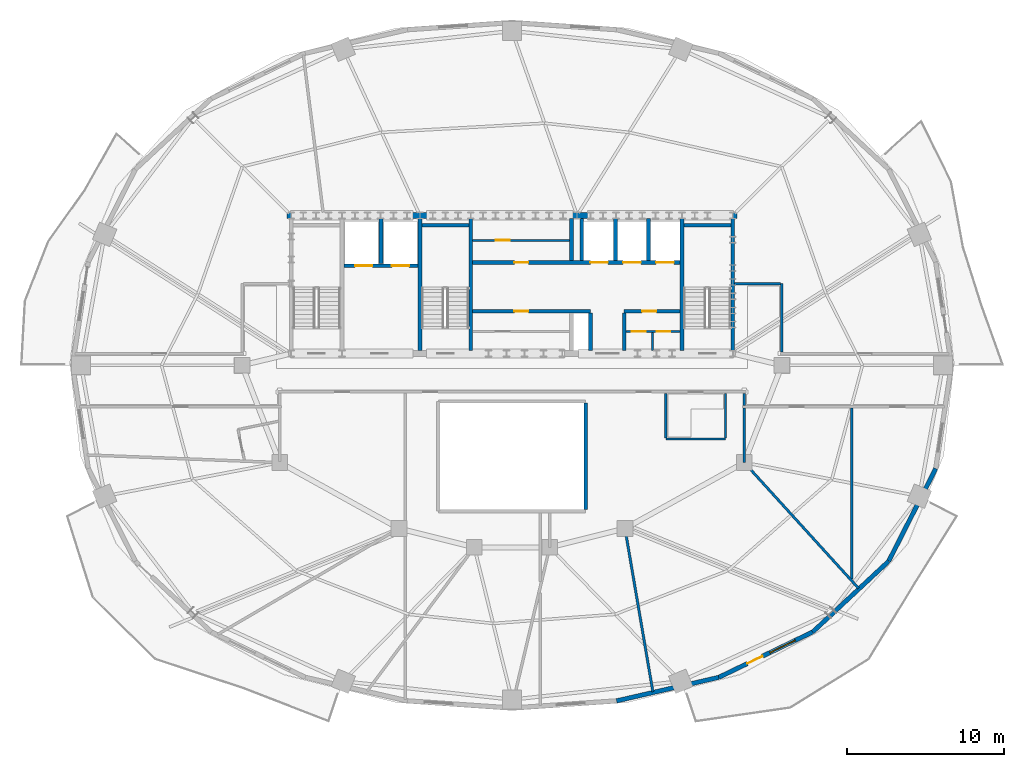
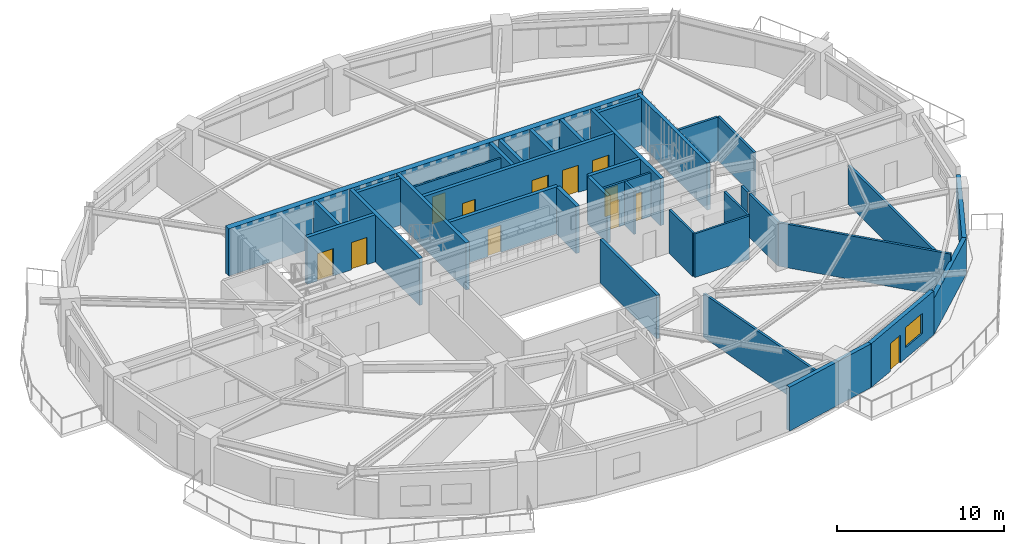
# One storey, part 5 of 11: 36 walls, 12 doors, 1 window, 13 openings.
"""IFC4 building model written with IfcOpenShell, lengths in metres."""

from ifc_helpers import new_model, si_unit, direction, frame, frame_2d, origin, place, context, subcontext, project, spatial, rectangle, extrude, material, layer, layer_set, type_object, element, fill, save


model = new_model("IFC4")

# Units and contexts
model_context = context("Model", 3, precision=1e-05, world=origin(), true_north=direction((0.0, 1.0)))
body_context = subcontext(model_context, "Body", "Model", "MODEL_VIEW")
ifc_project = project(units=[si_unit("LENGTHUNIT", "METRE"), si_unit("AREAUNIT", "SQUARE_METRE"), si_unit("VOLUMEUNIT", "CUBIC_METRE"), si_unit("PLANEANGLEUNIT", "RADIAN"), si_unit("MASSUNIT", "GRAM", prefix="KILO")], contexts=[model_context])

# Site, building, storey
site_placement = place(None, origin())
site = spatial("IfcSite", under=ifc_project, at=site_placement, CompositionType="ELEMENT")
building_placement = place(site_placement, origin())
building = spatial("IfcBuilding", under=site, at=building_placement, Name="Haldorwick Loom Tower", CompositionType="ELEMENT")
storey_placement = place(building_placement, frame((0.0, 0.0, 211.75)))
storey = spatial("IfcBuildingStorey", under=building, at=storey_placement, Name="L57", CompositionType="ELEMENT", Elevation=211.75)

# Wall
ifc_material_1 = material(Name="Pressed Clay Face Brick and Insulated Masonry Backup Assembly", Category="masonry")
ifc_layer_1 = layer(ifc_material_1, 0.280029296875, Name="Pressed Clay Face Brick and Insulated Masonry Backup Assembly", Category="masonry")
ifc_layer_set_1 = layer_set([ifc_layer_1], Name="Pressed Clay Face Brick and Insulated Masonry Backup Assembly")
wall_type_1 = type_object("IfcWallType", Name="ARC-WL-EXT280", PredefinedType="STANDARD", material=ifc_layer_set_1)
wall_1_placement = place(storey_placement, frame((42.665283203125, 4.61279296875, 0.0), z_axis=(0.0, 0.0, 1.0), x_axis=(0.974557343474, 0.224138315065, 0.0)))
element("IfcWall", 1, at=wall_1_placement, inside=storey, type_object=wall_type_1, Name="L57 Brick Pier and Spandrel Wall 20", PredefinedType="STANDARD", context=body_context, shape_type="SweptSolid", body=[
    extrude(rectangle(XDim=6.676025390625, YDim=0.280029296875, at=frame_2d((3.337890625, 0.0))), origin(), (0.0, 0.0, 1.0), 3.2099609375),
])

# Wall, openings, door, window
wall_2_placement = place(storey_placement, frame((49.17138671875, 6.109130859375, 0.0), z_axis=(0.0, 0.0, 1.0), x_axis=(0.900371236029, 0.435122554381, 0.0)))
wall_2 = element("IfcWall", 2, at=wall_2_placement, inside=storey, type_object=wall_type_1, Name="L57 Brick Pier and Spandrel Wall 21", PredefinedType="STANDARD", context=body_context, shape_type="SweptSolid", body=[
    extrude(rectangle(XDim=6.6533203125, YDim=0.280029296875, at=frame_2d((3.32666015625, 0.0))), origin(), (0.0, 0.0, 1.0), 3.2099609375),
])
opening_1_placement = place(wall_2_placement, frame((2.022705078125, 0.0, 0.0)))
opening_1 = element("IfcOpeningElement", 3, at=opening_1_placement, cuts=wall_2, Name="Opening D-BL11", PredefinedType="OPENING", context=body_context, shape_type="SweptSolid", body=[
    extrude(rectangle(XDim=1.080078125, YDim=2.0400390625, at=frame_2d((0.5400390625, 1.02001953125))), frame((0.0, 0.14990234375, 0.0), z_axis=(0.0, -1.0, 0.0), x_axis=(1.0, 0.0, 0.0)), (0.0, 0.0, 1.0), 0.300048828125),
])
opening_2_placement = place(wall_2_placement, frame((3.618896484375, 0.0, 0.800048828125)))
opening_2 = element("IfcOpeningElement", 4, at=opening_2_placement, cuts=wall_2, Name="Opening W-01", PredefinedType="OPENING", context=body_context, shape_type="SweptSolid", body=[
    extrude(rectangle(XDim=1.800048828125, YDim=1.47998046875, at=frame_2d((0.89990234375, 0.739990234375))), frame((0.0, 0.14990234375, 0.0), z_axis=(0.0, -1.0, 0.0), x_axis=(1.0, 0.0, 0.0)), (0.0, 0.0, 1.0), 0.300048828125),
])
ifc_material_2 = material(Name="Thermally Broken Anodized Aluminium Curtain Wall Framing", Category="aluminium")
door_type_1 = type_object("IfcDoorType", Name="ARC-DR-BAL110", OperationType="NOTDEFINED", PredefinedType="DOOR", material=ifc_material_2)
door_1_placement = place(opening_1_placement, origin())
door_1 = element("IfcDoor", 5, at=door_1_placement, inside=storey, type_object=door_type_1, Name="L57 Outdoor Terrace Door SLB-L57-BAL_SE", OperationType="SINGLE_SWING_RIGHT", OverallHeight=2.0400390625, OverallWidth=1.080078125, PredefinedType="DOOR", context=body_context, shape_type="SweptSolid", body=[
    extrude(rectangle(XDim=1.080078125, YDim=2.0400390625, at=frame_2d((0.5400390625, 1.02001953125))), frame((0.0, 0.02490234375, 0.0), z_axis=(0.0, -1.0, 0.0), x_axis=(1.0, 0.0, 0.0)), (0.0, 0.0, 1.0), 0.050048828125),
])
fill(opening_1, door_1)
ifc_material_3 = material(Name="Triple-Glazed Low-E Argon Insulated Glazing Unit", Category="glass")
window_type = type_object("IfcWindowType", Name="ARC-WIN-W180", PartitioningType="SINGLE_PANEL", PredefinedType="WINDOW", material=ifc_material_3)
window_placement = place(opening_2_placement, origin())
window = element("IfcWindow", 6, at=window_placement, inside=storey, type_object=window_type, Name="L57 Deep-Set Zone 7A Window 21", OverallHeight=1.47998046875, OverallWidth=1.800048828125, PartitioningType="SINGLE_PANEL", PredefinedType="WINDOW", context=body_context, shape_type="SweptSolid", body=[
    extrude(rectangle(XDim=1.800048828125, YDim=1.47998046875, at=frame_2d((0.89990234375, 0.739990234375))), frame((0.0, 0.030029296875, 0.0), z_axis=(0.0, -1.0, 0.0), x_axis=(1.0, 0.0, 0.0)), (0.0, 0.0, 1.0), 0.06005859375),
])
fill(opening_2, window)

# Walls
wall_3_placement = place(storey_placement, frame((55.161865234375, 9.004150390625, 0.0), z_axis=(0.0, 0.0, 1.0), x_axis=(0.731833707499, 0.681483253329, 0.0)))
element("IfcWall", 7, at=wall_3_placement, inside=storey, type_object=wall_type_1, Name="L57 Brick Pier and Spandrel Wall 22", PredefinedType="STANDARD", context=body_context, shape_type="SweptSolid", body=[
    extrude(rectangle(XDim=6.61865234375, YDim=0.280029296875, at=frame_2d((3.309326171875, 0.0))), origin(), (0.0, 0.0, 1.0), 2.64111328125),
])
wall_4_placement = place(storey_placement, frame((60.005615234375, 13.5146484375, 0.0), z_axis=(0.0, 0.0, 1.0), x_axis=(0.453032066879, 0.89149422117, 0.0)))
element("IfcWall", 8, at=wall_4_placement, inside=storey, type_object=wall_type_1, Name="L57 Brick Pier and Spandrel Wall 23", PredefinedType="STANDARD", context=body_context, shape_type="SweptSolid", body=[
    extrude(rectangle(XDim=6.618896484375, YDim=0.280029296875, at=frame_2d((3.3095703125, 0.0))), origin(), (0.0, 0.0, 1.0), 2.64111328125),
])
ifc_material_4 = material(Name="Fire-Rated Type X Gypsum Stud Assembly EI 60")
ifc_layer_2 = layer(ifc_material_4, 0.159912109375, Name="Fire-Rated Type X Gypsum Stud Assembly EI 60")
ifc_layer_set_2 = layer_set([ifc_layer_2], Name="Fire-Rated Type X Gypsum Stud Assembly EI 60")
wall_type_2 = type_object("IfcWallType", Name="ARC-WL-FIRE160", PredefinedType="PARTITIONING", material=ifc_layer_set_2)
wall_5_placement = place(storey_placement, frame((50.800048828125, 23.43310546875, 0.0), z_axis=(0.0, 0.0, 1.0), x_axis=(0.0, 1.0, 0.0)))
element("IfcWall", 9, at=wall_5_placement, inside=storey, type_object=wall_type_2, Name="L57 Residential Fire Partition L57-CR-STE", PredefinedType="PARTITIONING", context=body_context, shape_type="SweptSolid", body=[
    extrude(rectangle(XDim=0.783935546875, YDim=0.159912109375, at=frame_2d((0.39208984375, 0.0))), origin(), (0.0, 0.0, 1.0), 3.195068359375),
])
wall_6_placement = place(storey_placement, frame((53.199951171875, 26.8330078125, 0.0), z_axis=(0.0, 0.0, 1.0), x_axis=(0.0, 1.0, 0.0)))
element("IfcWall", 10, at=wall_6_placement, inside=storey, type_object=wall_type_2, Name="L57 Residential Fire Partition L57-CR-E0", PredefinedType="PARTITIONING", context=body_context, shape_type="SweptSolid", body=[
    extrude(rectangle(XDim=4.366943359375, YDim=0.159912109375, at=frame_2d((2.18359375, 0.0))), origin(), (0.0, 0.0, 1.0), 3.195068359375),
])
wall_7_placement = place(storey_placement, frame((50.193115234375, 31.199951171875, 0.0), z_axis=(0.0, 0.0, 1.0), x_axis=(1.0, 0.0, 0.0)))
element("IfcWall", 11, at=wall_7_placement, inside=storey, type_object=wall_type_2, Name="L57 Residential Fire Partition L57-CR-ENJ", PredefinedType="PARTITIONING", context=body_context, shape_type="SweptSolid", body=[
    extrude(rectangle(XDim=2.923828125, YDim=0.159912109375, at=frame_2d((1.4619140625, 0.0))), origin(), (0.0, 0.0, 1.0), 3.195068359375),
])
wall_8_placement = place(storey_placement, frame((50.800048828125, 19.800048828125, 0.0), z_axis=(0.0, 0.0, 1.0), x_axis=(0.672622296294, -0.739985977251, 0.0)))
element("IfcWall", 12, at=wall_8_placement, inside=storey, type_object=wall_type_2, Name="L57 Residential Fire Partition L57-ICR-02", PredefinedType="PARTITIONING", context=body_context, shape_type="SweptSolid", body=[
    extrude(rectangle(XDim=10.8291015625, YDim=0.159912109375, at=frame_2d((5.41455078125, 0.0))), origin(), (0.0, 0.0, 1.0), 3.195068359375),
])
wall_9_placement = place(storey_placement, frame((43.199951171875, 15.60009765625, 0.0), z_axis=(0.0, 0.0, 1.0), x_axis=(0.168424125472, -0.985714620952, 0.0)))
element("IfcWall", 13, at=wall_9_placement, inside=storey, type_object=wall_type_2, Name="L57 Residential Fire Partition L57-ICR-04", PredefinedType="PARTITIONING", context=body_context, shape_type="SweptSolid", body=[
    extrude(rectangle(XDim=10.56005859375, YDim=0.159912109375, at=frame_2d((5.280029296875, 0.0))), origin(), (0.0, 0.0, 1.0), 3.195068359375),
])
wall_10_placement = place(storey_placement, frame((50.800048828125, 23.26708984375, 0.0), z_axis=(0.0, 0.0, 1.0), x_axis=(0.0, -1.0, 0.0)))
element("IfcWall", 14, at=wall_10_placement, inside=storey, type_object=wall_type_2, Name="L57 Residential Fire Partition L57-ICA-01", PredefinedType="PARTITIONING", context=body_context, shape_type="SweptSolid", body=[
    extrude(rectangle(XDim=3.467041015625, YDim=0.159912109375, at=frame_2d((1.7333984375, 0.0))), origin(), (0.0, 0.0, 1.0), 3.195068359375),
])
wall_11_placement = place(storey_placement, frame((57.66748046875, 12.3681640625, 0.0), z_axis=(0.0, 0.0, 1.0), x_axis=(0.0, 1.0, 0.0)))
element("IfcWall", 15, at=wall_11_placement, inside=storey, type_object=wall_type_2, Name="L57 Suite Split Wall", PredefinedType="PARTITIONING", context=body_context, shape_type="SweptSolid", body=[
    extrude(rectangle(XDim=10.89892578125, YDim=0.159912109375, at=frame_2d((5.449462890625, 0.0))), origin(), (0.0, 0.0, 1.0), 2.8720703125),
])
ifc_material_5 = material(Name="Fire-Rated Type X Gypsum Stud Assembly EI 120")
ifc_layer_3 = layer(ifc_material_5, 0.199951171875, Name="Fire-Rated Type X Gypsum Stud Assembly EI 120")
ifc_layer_set_3 = layer_set([ifc_layer_3], Name="Fire-Rated Type X Gypsum Stud Assembly EI 120")
wall_type_3 = type_object("IfcWallType", Name="ARC-WL-FIRE200", PredefinedType="PARTITIONING", material=ifc_layer_set_3)
wall_12_placement = place(storey_placement, frame((40.699951171875, 23.596923828125, 0.0), z_axis=(0.0, 0.0, 1.0), x_axis=(0.0, -1.0, 0.0)))
element("IfcWall", 16, at=wall_12_placement, inside=storey, type_object=wall_type_3, Name="L57 Atrium Fire Enclosure Wall E", PredefinedType="PARTITIONING", context=body_context, shape_type="SweptSolid", body=[
    extrude(rectangle(XDim=6.7939453125, YDim=0.199951171875, at=frame_2d((3.39697265625, 0.0))), origin(), (0.0, 0.0, 1.0), 3.195068359375),
])

# Wall, opening, door
ifc_layer_4 = layer(ifc_material_4, 0.139892578125, Name="Fire-Rated Type X Gypsum Stud Assembly EI 60")
ifc_layer_set_4 = layer_set([ifc_layer_4], Name="Fire-Rated Type X Gypsum Stud Assembly EI 60")
wall_type_4 = type_object("IfcWallType", Name="ARC-WL-PART140", PredefinedType="PARTITIONING", material=ifc_layer_set_4)
wall_13_placement = place(storey_placement, frame((33.492919921875, 33.9599609375, 0.0), z_axis=(0.0, 0.0, 1.0), x_axis=(1.0, 0.0, 0.0)))
wall_13 = element("IfcWall", 17, at=wall_13_placement, inside=storey, type_object=wall_type_4, Name="L57 Alcove Partition", PredefinedType="PARTITIONING", context=body_context, shape_type="SweptSolid", body=[
    extrude(rectangle(XDim=6.18408203125, YDim=0.139892578125, at=frame_2d((3.092041015625, 0.0))), origin(), (0.0, 0.0, 1.0), 3.195068359375),
])
opening_3_placement = place(wall_13_placement, frame((1.45703125, 0.0, 0.0)))
opening_3 = element("IfcOpeningElement", 18, at=opening_3_placement, cuts=wall_13, Name="Opening D-FD60A", PredefinedType="OPENING", context=body_context, shape_type="SweptSolid", body=[
    extrude(rectangle(XDim=0.89990234375, YDim=2.0, at=frame_2d((0.449951171875, 1.0))), frame((0.0, 0.079833984375, 0.0), z_axis=(0.0, -1.0, 0.0), x_axis=(1.0, 0.0, 0.0)), (0.0, 0.0, 1.0), 0.159912109375),
])
ifc_material_6 = material(Name="Hollow Steel Fire Door Assembly", Category="steel")
door_type_2 = type_object("IfcDoorType", Name="ARC-DR-FD60-90", OperationType="NOTDEFINED", PredefinedType="DOOR", material=ifc_material_6)
door_2_placement = place(opening_3_placement, frame((0.89990234375, 0.0, 0.0), z_axis=(0.0, 0.0, 1.0), x_axis=(-1.0, 0.0, 0.0)))
door_2 = element("IfcDoor", 19, at=door_2_placement, inside=storey, type_object=door_type_2, Name="L57 Trunk Store Door", OperationType="SINGLE_SWING_LEFT", OverallHeight=2.0, OverallWidth=0.89990234375, PredefinedType="DOOR", context=body_context, shape_type="SweptSolid", body=[
    extrude(rectangle(XDim=0.89990234375, YDim=2.0, at=frame_2d((0.449951171875, 1.0))), frame((0.0, 0.02490234375, 0.0), z_axis=(0.0, -1.0, 0.0), x_axis=(1.0, 0.0, 0.0)), (0.0, 0.0, 1.0), 0.050048828125),
])
fill(opening_3, door_2)

# Wall, openings, doors
wall_14_placement = place(storey_placement, frame((43.27294921875, 28.159912109375, 0.0), z_axis=(0.0, 0.0, 1.0), x_axis=(1.0, 0.0, 0.0)))
wall_14 = element("IfcWall", 20, at=wall_14_placement, inside=storey, type_object=wall_type_4, Name="L57 Telecom Partition", PredefinedType="PARTITIONING", context=body_context, shape_type="SweptSolid", body=[
    extrude(rectangle(XDim=3.43408203125, YDim=0.139892578125, at=frame_2d((1.717041015625, 0.0))), origin(), (0.0, 0.0, 1.0), 3.195068359375),
])
opening_4_placement = place(wall_14_placement, frame((0.366943359375, 0.0, 0.0)))
opening_4 = element("IfcOpeningElement", 21, at=opening_4_placement, cuts=wall_14, Name="Opening D-BT88", PredefinedType="OPENING", context=body_context, shape_type="SweptSolid", body=[
    extrude(rectangle(XDim=0.8798828125, YDim=2.02001953125, at=frame_2d((0.43994140625, 1.010009765625))), frame((0.0, 0.079833984375, 0.0), z_axis=(0.0, -1.0, 0.0), x_axis=(1.0, 0.0, 0.0)), (0.0, 0.0, 1.0), 0.159912109375),
])
opening_5_placement = place(wall_14_placement, frame((1.93701171875, 0.0, 0.0)))
opening_5 = element("IfcOpeningElement", 22, at=opening_5_placement, cuts=wall_14, Name="Opening D-BT88", PredefinedType="OPENING", context=body_context, shape_type="SweptSolid", body=[
    extrude(rectangle(XDim=0.8798828125, YDim=2.02001953125, at=frame_2d((0.43994140625, 1.010009765625))), frame((0.0, 0.079833984375, 0.0), z_axis=(0.0, -1.0, 0.0), x_axis=(1.0, 0.0, 0.0)), (0.0, 0.0, 1.0), 0.159912109375),
])
ifc_material_7 = material(Name="Solid Core Birch Architectural Door")
door_type_3 = type_object("IfcDoorType", Name="ARC-DR-BATH88", OperationType="NOTDEFINED", PredefinedType="DOOR", material=ifc_material_7)
door_3_placement = place(opening_4_placement, origin())
door_3 = element("IfcDoor", 23, at=door_3_placement, inside=storey, type_object=door_type_3, Name="L57 Telecom Room Door", OperationType="SINGLE_SWING_LEFT", OverallHeight=2.02001953125, OverallWidth=0.8798828125, PredefinedType="DOOR", context=body_context, shape_type="SweptSolid", body=[
    extrude(rectangle(XDim=0.8798828125, YDim=2.02001953125, at=frame_2d((0.43994140625, 1.010009765625))), frame((0.0, 0.02490234375, 0.0), z_axis=(0.0, -1.0, 0.0), x_axis=(1.0, 0.0, 0.0)), (0.0, 0.0, 1.0), 0.050048828125),
])
fill(opening_4, door_3)
door_4_placement = place(opening_5_placement, origin())
door_4 = element("IfcDoor", 24, at=door_4_placement, inside=storey, type_object=door_type_3, Name="L57 Metering Closet Door", OperationType="SINGLE_SWING_RIGHT", OverallHeight=2.02001953125, OverallWidth=0.8798828125, PredefinedType="DOOR", context=body_context, shape_type="SweptSolid", body=[
    extrude(rectangle(XDim=0.8798828125, YDim=2.02001953125, at=frame_2d((0.43994140625, 1.010009765625))), frame((0.0, 0.02490234375, 0.0), z_axis=(0.0, -1.0, 0.0), x_axis=(1.0, 0.0, 0.0)), (0.0, 0.0, 1.0), 0.050048828125),
])
fill(opening_5, door_4)

# Walls
wall_15_placement = place(storey_placement, frame((44.949951171875, 26.952880859375, 0.0), z_axis=(0.0, 0.0, 1.0), x_axis=(0.0, 1.0, 0.0)))
element("IfcWall", 25, at=wall_15_placement, inside=storey, type_object=wall_type_4, Name="L57 Metering Sub-Partition", PredefinedType="PARTITIONING", context=body_context, shape_type="SweptSolid", body=[
    extrude(rectangle(XDim=1.134033203125, YDim=0.139892578125, at=frame_2d((0.56689453125, 0.0))), origin(), (0.0, 0.0, 1.0), 3.195068359375),
])
wall_16_placement = place(storey_placement, frame((45.800048828125, 21.300048828125, 0.0), z_axis=(0.0, 0.0, 1.0), x_axis=(1.0, 0.0, 0.0)))
element("IfcWall", 26, at=wall_16_placement, inside=storey, type_object=wall_type_4, Name="L57 Residential Fire Partition L57-CWC-S", PredefinedType="PARTITIONING", context=body_context, shape_type="SweptSolid", body=[
    extrude(rectangle(XDim=3.800048828125, YDim=0.139892578125, at=frame_2d((1.89990234375, 0.0))), origin(), (0.0, 0.0, 1.0), 3.195068359375),
])
for number, where, z_axis, x_axis, name in (
    (27, (45.800048828125, 21.373046875, 0.0), (0.0, 0.0, 1.0), (0.0, 1.0, 0.0), "L57 Residential Fire Partition L57-CWC-W"),
    (28, (49.60009765625, 21.373046875, 0.0), (0.0, 0.0, 1.0), (0.0, 1.0, 0.0), "L57 Residential Fire Partition L57-CWC-E"),
):
    element("IfcWall", number, at=place(storey_placement, frame(where, z_axis=z_axis, x_axis=x_axis)), inside=storey, type_object=wall_type_4, Name=name, PredefinedType="PARTITIONING", context=body_context, shape_type="SweptSolid", body=[
        extrude(rectangle(XDim=2.843994140625, YDim=0.139892578125, at=frame_2d((1.421875, 0.0))), origin(), (0.0, 0.0, 1.0), 3.195068359375),
    ])
ifc_material_8 = material(Name="Concrete C50 (50 MPa)", Category="concrete")
ifc_layer_5 = layer(ifc_material_8, 0.39990234375, Name="Concrete C50 (50 MPa)", Category="concrete")
ifc_layer_set_5 = layer_set([ifc_layer_5], Name="Concrete C50 (50 MPa)")
wall_type_5 = type_object("IfcWallType", Name="STR-WL-CORE400", PredefinedType="SHEAR", material=ifc_layer_set_5)
wall_17_placement = place(storey_placement, frame((50.35009765625, 35.550048828125, 0.0), z_axis=(0.0, 0.0, 1.0), x_axis=(-1.0, 0.0, 0.0)))
element("IfcWall", 29, at=wall_17_placement, inside=storey, type_object=wall_type_5, Name="L57 Core Shear Wall N", PredefinedType="SHEAR", context=body_context, shape_type="SweptSolid", body=[
    extrude(rectangle(XDim=28.7001953125, YDim=0.39990234375, at=frame_2d((14.35009765625, 0.0))), origin(), (0.0, 0.0, 1.0), 3.449951171875),
])
ifc_layer_6 = layer(ifc_material_8, 0.239990234375, Name="Concrete C50 (50 MPa)", Category="concrete")
ifc_layer_set_6 = layer_set([ifc_layer_6], Name="Concrete C50 (50 MPa)")
wall_type_6 = type_object("IfcWallType", Name="STR-WL-SHAFT240", PredefinedType="SHEAR", material=ifc_layer_set_6)
for number, where, z_axis, x_axis, name in (
    (30, (50.070068359375, 26.952880859375, 0.0), (0.0, 0.0, 1.0), (0.0, 1.0, 0.0), "L57 Core Shear Wall E"),
    (31, (30.1298828125, 26.952880859375, 0.0), (0.0, 0.0, 1.0), (0.0, 1.0, 0.0), "L57 Core Shear Wall 2"),
    (32, (33.3701171875, 26.952880859375, 0.0), (0.0, 0.0, 1.0), (0.0, 1.0, 0.0), "L57 Core Shear Wall 3"),
):
    element("IfcWall", number, at=place(storey_placement, frame(where, z_axis=z_axis, x_axis=x_axis)), inside=storey, type_object=wall_type_6, Name=name, PredefinedType="SHEAR", context=body_context, shape_type="SweptSolid", body=[
        extrude(rectangle(XDim=8.39404296875, YDim=0.239990234375, at=frame_2d((4.197021484375, 0.0))), origin(), (0.0, 0.0, 1.0), 3.449951171875),
    ])
wall_18_placement = place(storey_placement, frame((30.2529296875, 34.919921875, 0.0), z_axis=(0.0, 0.0, 1.0), x_axis=(1.0, 0.0, 0.0)))
element("IfcWall", 33, at=wall_18_placement, inside=storey, type_object=wall_type_6, Name="L57 Core Shear Wall 3N", PredefinedType="SHEAR", context=body_context, shape_type="SweptSolid", body=[
    extrude(rectangle(XDim=2.994140625, YDim=0.239990234375, at=frame_2d((1.4970703125, 0.0))), origin(), (0.0, 0.0, 1.0), 3.449951171875),
])
wall_19_placement = place(storey_placement, frame((46.830078125, 26.952880859375, 0.0), z_axis=(0.0, 0.0, 1.0), x_axis=(0.0, 1.0, 0.0)))
element("IfcWall", 34, at=wall_19_placement, inside=storey, type_object=wall_type_6, Name="L57 Core Shear Wall 4", PredefinedType="SHEAR", context=body_context, shape_type="SweptSolid", body=[
    extrude(rectangle(XDim=8.39404296875, YDim=0.239990234375, at=frame_2d((4.197021484375, 0.0))), origin(), (0.0, 0.0, 1.0), 3.449951171875),
])
wall_20_placement = place(storey_placement, frame((46.952880859375, 34.919921875, 0.0), z_axis=(0.0, 0.0, 1.0), x_axis=(1.0, 0.0, 0.0)))
element("IfcWall", 35, at=wall_20_placement, inside=storey, type_object=wall_type_6, Name="L57 Core Shear Wall 4N", PredefinedType="SHEAR", context=body_context, shape_type="SweptSolid", body=[
    extrude(rectangle(XDim=2.994140625, YDim=0.239990234375, at=frame_2d((1.4970703125, 0.0))), origin(), (0.0, 0.0, 1.0), 3.449951171875),
])

# Wall, openings, doors
wall_21_placement = place(storey_placement, frame((25.29296875, 32.35009765625, 0.0), z_axis=(0.0, 0.0, 1.0), x_axis=(1.0, 0.0, 0.0)))
wall_21 = element("IfcWall", 36, at=wall_21_placement, inside=storey, type_object=wall_type_6, Name="L57 Core Shear Wall FF", PredefinedType="SHEAR", context=body_context, shape_type="SweptSolid", body=[
    extrude(rectangle(XDim=4.714111328125, YDim=0.239990234375, at=frame_2d((2.35693359375, 0.0))), origin(), (0.0, 0.0, 1.0), 3.449951171875),
])
opening_6_placement = place(wall_21_placement, frame((0.70703125, 0.0, 0.0)))
opening_6 = element("IfcOpeningElement", 37, at=opening_6_placement, cuts=wall_21, Name="Opening LD-FF1", PredefinedType="OPENING", context=body_context, shape_type="SweptSolid", body=[
    extrude(rectangle(XDim=1.10009765625, YDim=2.0, at=frame_2d((0.550048828125, 1.0))), frame((0.0, 0.1298828125, 0.0), z_axis=(0.0, -1.0, 0.0), x_axis=(1.0, 0.0, 0.0)), (0.0, 0.0, 1.0), 0.260009765625),
])
opening_7_placement = place(wall_21_placement, frame((3.056884765625, 0.0, 0.0)))
opening_7 = element("IfcOpeningElement", 38, at=opening_7_placement, cuts=wall_21, Name="Opening LD-FF2", PredefinedType="OPENING", context=body_context, shape_type="SweptSolid", body=[
    extrude(rectangle(XDim=1.10009765625, YDim=2.0, at=frame_2d((0.550048828125, 1.0))), frame((0.0, 0.1298828125, 0.0), z_axis=(0.0, -1.0, 0.0), x_axis=(1.0, 0.0, 0.0)), (0.0, 0.0, 1.0), 0.260009765625),
])
door_type_4 = type_object("IfcDoorType", Name="ARC-DR-LD-FF", OperationType="NOTDEFINED", PredefinedType="USERDEFINED", material=ifc_material_6)
door_5_placement = place(opening_6_placement, origin())
door_5 = element("IfcDoor", 39, at=door_5_placement, inside=storey, type_object=door_type_4, Name="L57 Lift LF-FF1 Sliding Landing Door", ObjectType="LANDING DOOR", OperationType="DOUBLE_DOOR_SLIDING", OverallHeight=2.0, OverallWidth=1.10009765625, PredefinedType="USERDEFINED", context=body_context, shape_type="SweptSolid", body=[
    extrude(rectangle(XDim=1.10009765625, YDim=2.0, at=frame_2d((0.550048828125, 1.0))), frame((0.0, 0.02490234375, 0.0), z_axis=(0.0, -1.0, 0.0), x_axis=(1.0, 0.0, 0.0)), (0.0, 0.0, 1.0), 0.050048828125),
])
fill(opening_6, door_5)
door_6_placement = place(opening_7_placement, origin())
door_6 = element("IfcDoor", 40, at=door_6_placement, inside=storey, type_object=door_type_4, Name="L57 Lift LF-FF2 Sliding Landing Door", ObjectType="LANDING DOOR", OperationType="DOUBLE_DOOR_SLIDING", OverallHeight=2.0, OverallWidth=1.10009765625, PredefinedType="USERDEFINED", context=body_context, shape_type="SweptSolid", body=[
    extrude(rectangle(XDim=1.10009765625, YDim=2.0, at=frame_2d((0.550048828125, 1.0))), frame((0.0, 0.02490234375, 0.0), z_axis=(0.0, -1.0, 0.0), x_axis=(1.0, 0.0, 0.0)), (0.0, 0.0, 1.0), 0.050048828125),
])
fill(opening_7, door_6)

# Wall
wall_22_placement = place(storey_placement, frame((27.64990234375, 32.472900390625, 0.0), z_axis=(0.0, 0.0, 1.0), x_axis=(0.0, 1.0, 0.0)))
element("IfcWall", 41, at=wall_22_placement, inside=storey, type_object=wall_type_6, Name="L57 Core Shear Wall FFD", PredefinedType="SHEAR", context=body_context, shape_type="SweptSolid", body=[
    extrude(rectangle(XDim=2.8740234375, YDim=0.239990234375, at=frame_2d((1.43701171875, 0.0))), origin(), (0.0, 0.0, 1.0), 3.449951171875),
])

# Wall, openings, doors
wall_23_placement = place(storey_placement, frame((33.492919921875, 32.550048828125, 0.0), z_axis=(0.0, 0.0, 1.0), x_axis=(1.0, 0.0, 0.0)))
wall_23 = element("IfcWall", 42, at=wall_23_placement, inside=storey, type_object=wall_type_6, Name="L57 Core Shear Wall LN", PredefinedType="SHEAR", context=body_context, shape_type="SweptSolid", body=[
    extrude(rectangle(XDim=13.214111328125, YDim=0.239990234375, at=frame_2d((6.60693359375, 0.0))), origin(), (0.0, 0.0, 1.0), 3.449951171875),
])
opening_8_placement = place(wall_23_placement, frame((2.656982421875, 0.0, 0.0)))
opening_8 = element("IfcOpeningElement", 43, at=opening_8_placement, cuts=wall_23, Name="Opening D-FD60A", PredefinedType="OPENING", context=body_context, shape_type="SweptSolid", body=[
    extrude(rectangle(XDim=0.89990234375, YDim=2.0, at=frame_2d((0.449951171875, 1.0))), frame((0.0, 0.1298828125, 0.0), z_axis=(0.0, -1.0, 0.0), x_axis=(1.0, 0.0, 0.0)), (0.0, 0.0, 1.0), 0.260009765625),
])
opening_9_placement = place(wall_23_placement, frame((7.4970703125, 0.0, 0.0)))
opening_9 = element("IfcOpeningElement", 44, at=opening_9_placement, cuts=wall_23, Name="Opening LD-H1", PredefinedType="OPENING", context=body_context, shape_type="SweptSolid", body=[
    extrude(rectangle(XDim=1.1201171875, YDim=2.0, at=frame_2d((0.56005859375, 1.0))), frame((0.0, 0.1298828125, 0.0), z_axis=(0.0, -1.0, 0.0), x_axis=(1.0, 0.0, 0.0)), (0.0, 0.0, 1.0), 0.260009765625),
])
opening_10_placement = place(wall_23_placement, frame((9.596923828125, 0.0, 0.0)))
opening_10 = element("IfcOpeningElement", 45, at=opening_10_placement, cuts=wall_23, Name="Opening LD-H2", PredefinedType="OPENING", context=body_context, shape_type="SweptSolid", body=[
    extrude(rectangle(XDim=1.1201171875, YDim=2.0, at=frame_2d((0.56005859375, 1.0))), frame((0.0, 0.1298828125, 0.0), z_axis=(0.0, -1.0, 0.0), x_axis=(1.0, 0.0, 0.0)), (0.0, 0.0, 1.0), 0.260009765625),
])
opening_11_placement = place(wall_23_placement, frame((11.697021484375, 0.0, 0.0)))
opening_11 = element("IfcOpeningElement", 46, at=opening_11_placement, cuts=wall_23, Name="Opening LD-H3", PredefinedType="OPENING", context=body_context, shape_type="SweptSolid", body=[
    extrude(rectangle(XDim=1.1201171875, YDim=2.0, at=frame_2d((0.56005859375, 1.0))), frame((0.0, 0.1298828125, 0.0), z_axis=(0.0, -1.0, 0.0), x_axis=(1.0, 0.0, 0.0)), (0.0, 0.0, 1.0), 0.260009765625),
])
door_7_placement = place(opening_8_placement, frame((0.89990234375, 0.0, 0.0), z_axis=(0.0, 0.0, 1.0), x_axis=(-1.0, 0.0, 0.0)))
door_7 = element("IfcDoor", 47, at=door_7_placement, inside=storey, type_object=door_type_2, Name="L57 Floor Equipment Door", OperationType="SINGLE_SWING_RIGHT", OverallHeight=2.0, OverallWidth=0.89990234375, PredefinedType="DOOR", context=body_context, shape_type="SweptSolid", body=[
    extrude(rectangle(XDim=0.89990234375, YDim=2.0, at=frame_2d((0.449951171875, 1.0))), frame((0.0, 0.02490234375, 0.0), z_axis=(0.0, -1.0, 0.0), x_axis=(1.0, 0.0, 0.0)), (0.0, 0.0, 1.0), 0.050048828125),
])
fill(opening_8, door_7)
door_type_5 = type_object("IfcDoorType", Name="ARC-DR-LD-PAX", OperationType="NOTDEFINED", PredefinedType="USERDEFINED", material=ifc_material_6)
door_8_placement = place(opening_9_placement, origin())
door_8 = element("IfcDoor", 48, at=door_8_placement, inside=storey, type_object=door_type_5, Name="L57 Lift LF-H1 Sliding Landing Door", ObjectType="LANDING DOOR", OperationType="DOUBLE_DOOR_SLIDING", OverallHeight=2.0, OverallWidth=1.1201171875, PredefinedType="USERDEFINED", context=body_context, shape_type="SweptSolid", body=[
    extrude(rectangle(XDim=1.1201171875, YDim=2.0, at=frame_2d((0.56005859375, 1.0))), frame((0.0, 0.02490234375, 0.0), z_axis=(0.0, -1.0, 0.0), x_axis=(1.0, 0.0, 0.0)), (0.0, 0.0, 1.0), 0.050048828125),
])
fill(opening_9, door_8)
door_9_placement = place(opening_10_placement, origin())
door_9 = element("IfcDoor", 49, at=door_9_placement, inside=storey, type_object=door_type_5, Name="L57 Lift LF-H2 Sliding Landing Door", ObjectType="LANDING DOOR", OperationType="DOUBLE_DOOR_SLIDING", OverallHeight=2.0, OverallWidth=1.1201171875, PredefinedType="USERDEFINED", context=body_context, shape_type="SweptSolid", body=[
    extrude(rectangle(XDim=1.1201171875, YDim=2.0, at=frame_2d((0.56005859375, 1.0))), frame((0.0, 0.02490234375, 0.0), z_axis=(0.0, -1.0, 0.0), x_axis=(1.0, 0.0, 0.0)), (0.0, 0.0, 1.0), 0.050048828125),
])
fill(opening_10, door_9)
door_10_placement = place(opening_11_placement, origin())
door_10 = element("IfcDoor", 50, at=door_10_placement, inside=storey, type_object=door_type_5, Name="L57 Lift LF-H3 Sliding Landing Door", ObjectType="LANDING DOOR", OperationType="DOUBLE_DOOR_SLIDING", OverallHeight=2.0, OverallWidth=1.1201171875, PredefinedType="USERDEFINED", context=body_context, shape_type="SweptSolid", body=[
    extrude(rectangle(XDim=1.1201171875, YDim=2.0, at=frame_2d((0.56005859375, 1.0))), frame((0.0, 0.02490234375, 0.0), z_axis=(0.0, -1.0, 0.0), x_axis=(1.0, 0.0, 0.0)), (0.0, 0.0, 1.0), 0.050048828125),
])
fill(opening_11, door_10)

# Wall, opening, door
wall_24_placement = place(storey_placement, frame((33.492919921875, 29.449951171875, 0.0), z_axis=(0.0, 0.0, 1.0), x_axis=(1.0, 0.0, 0.0)))
wall_24 = element("IfcWall", 51, at=wall_24_placement, inside=storey, type_object=wall_type_6, Name="L57 Core Shear Wall LS1", PredefinedType="SHEAR", context=body_context, shape_type="SweptSolid", body=[
    extrude(rectangle(XDim=7.507080078125, YDim=0.239990234375, at=frame_2d((3.75341796875, 0.0))), origin(), (0.0, 0.0, 1.0), 3.449951171875),
])
opening_12_placement = place(wall_24_placement, frame((2.656982421875, 0.0, 0.0)))
opening_12 = element("IfcOpeningElement", 52, at=opening_12_placement, cuts=wall_24, Name="Opening D-FD60A", PredefinedType="OPENING", context=body_context, shape_type="SweptSolid", body=[
    extrude(rectangle(XDim=0.89990234375, YDim=2.0, at=frame_2d((0.449951171875, 1.0))), frame((0.0, 0.1298828125, 0.0), z_axis=(0.0, -1.0, 0.0), x_axis=(1.0, 0.0, 0.0)), (0.0, 0.0, 1.0), 0.260009765625),
])
door_11_placement = place(opening_12_placement, origin())
door_11 = element("IfcDoor", 53, at=door_11_placement, inside=storey, type_object=door_type_2, Name="L57 Metering Closet Door", OperationType="SINGLE_SWING_LEFT", OverallHeight=2.0, OverallWidth=0.89990234375, PredefinedType="DOOR", context=body_context, shape_type="SweptSolid", body=[
    extrude(rectangle(XDim=0.89990234375, YDim=2.0, at=frame_2d((0.449951171875, 1.0))), frame((0.0, 0.02490234375, 0.0), z_axis=(0.0, -1.0, 0.0), x_axis=(1.0, 0.0, 0.0)), (0.0, 0.0, 1.0), 0.050048828125),
])
fill(opening_12, door_11)

wall_25_placement = place(storey_placement, frame((43.14990234375, 29.449951171875, 0.0), z_axis=(0.0, 0.0, 1.0), x_axis=(1.0, 0.0, 0.0)))
wall_25 = element("IfcWall", 54, at=wall_25_placement, inside=storey, type_object=wall_type_6, Name="L57 Core Shear Wall LS2", PredefinedType="SHEAR", context=body_context, shape_type="SweptSolid", body=[
    extrude(rectangle(XDim=3.55712890625, YDim=0.239990234375, at=frame_2d((1.778564453125, 0.0))), origin(), (0.0, 0.0, 1.0), 3.449951171875),
])
opening_13_placement = place(wall_25_placement, frame((1.14990234375, 0.0, 0.0)))
opening_13 = element("IfcOpeningElement", 55, at=opening_13_placement, cuts=wall_25, Name="Opening D-FD60A", PredefinedType="OPENING", context=body_context, shape_type="SweptSolid", body=[
    extrude(rectangle(XDim=0.89990234375, YDim=2.0, at=frame_2d((0.449951171875, 1.0))), frame((0.0, 0.1298828125, 0.0), z_axis=(0.0, -1.0, 0.0), x_axis=(1.0, 0.0, 0.0)), (0.0, 0.0, 1.0), 0.260009765625),
])
door_12_placement = place(opening_13_placement, origin())
door_12 = element("IfcDoor", 56, at=door_12_placement, inside=storey, type_object=door_type_2, Name="L57 Janitor Closet Door", OperationType="SINGLE_SWING_LEFT", OverallHeight=2.0, OverallWidth=0.89990234375, PredefinedType="DOOR", context=body_context, shape_type="SweptSolid", body=[
    extrude(rectangle(XDim=0.89990234375, YDim=2.0, at=frame_2d((0.449951171875, 1.0))), frame((0.0, 0.02490234375, 0.0), z_axis=(0.0, -1.0, 0.0), x_axis=(1.0, 0.0, 0.0)), (0.0, 0.0, 1.0), 0.050048828125),
])
fill(opening_13, door_12)

# Walls
for number, where, z_axis, x_axis, name in (
    (57, (41.0, 26.952880859375, 0.0), (0.0, 0.0, 1.0), (0.0, 1.0, 0.0), "L57 Core Shear Wall THW"),
    (58, (43.14990234375, 26.952880859375, 0.0), (0.0, 0.0, 1.0), (0.0, 1.0, 0.0), "L57 Core Shear Wall THE"),
):
    element("IfcWall", number, at=place(storey_placement, frame(where, z_axis=z_axis, x_axis=x_axis)), inside=storey, type_object=wall_type_6, Name=name, PredefinedType="SHEAR", context=body_context, shape_type="SweptSolid", body=[
        extrude(rectangle(XDim=2.3740234375, YDim=0.239990234375, at=frame_2d((1.18701171875, 0.0))), origin(), (0.0, 0.0, 1.0), 3.449951171875),
    ])
for number, where, z_axis, x_axis, name in (
    (59, (39.800048828125, 32.673095703125, 0.0), (0.0, 0.0, 1.0), (0.0, 1.0, 0.0), "L57 Core Shear Wall LHW"),
    (60, (40.449951171875, 32.673095703125, 0.0), (0.0, 0.0, 1.0), (0.0, 1.0, 0.0), "L57 Core Shear Wall H0"),
    (61, (42.60009765625, 32.673095703125, 0.0), (0.0, 0.0, 1.0), (0.0, 1.0, 0.0), "L57 Core Shear Wall H1"),
    (62, (44.699951171875, 32.673095703125, 0.0), (0.0, 0.0, 1.0), (0.0, 1.0, 0.0), "L57 Core Shear Wall H2"),
):
    element("IfcWall", number, at=place(storey_placement, frame(where, z_axis=z_axis, x_axis=x_axis)), inside=storey, type_object=wall_type_6, Name=name, PredefinedType="SHEAR", context=body_context, shape_type="SweptSolid", body=[
        extrude(rectangle(XDim=2.673828125, YDim=0.239990234375, at=frame_2d((1.3369140625, 0.0))), origin(), (0.0, 0.0, 1.0), 3.449951171875),
    ])

save(model, "model.ifc")
